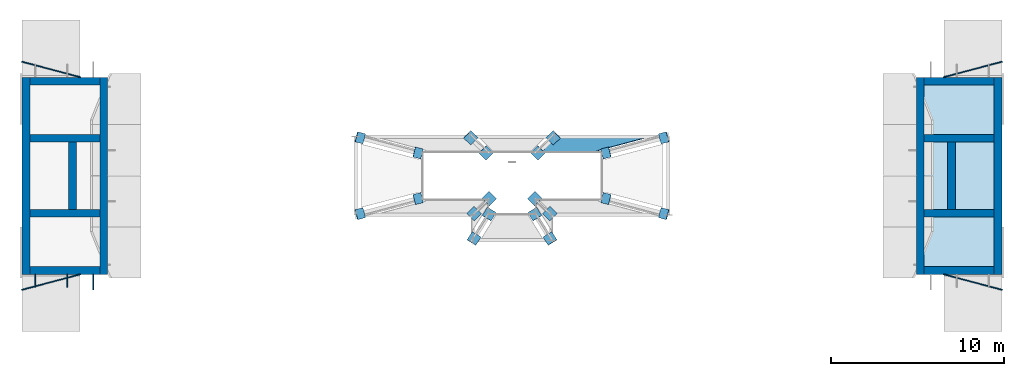
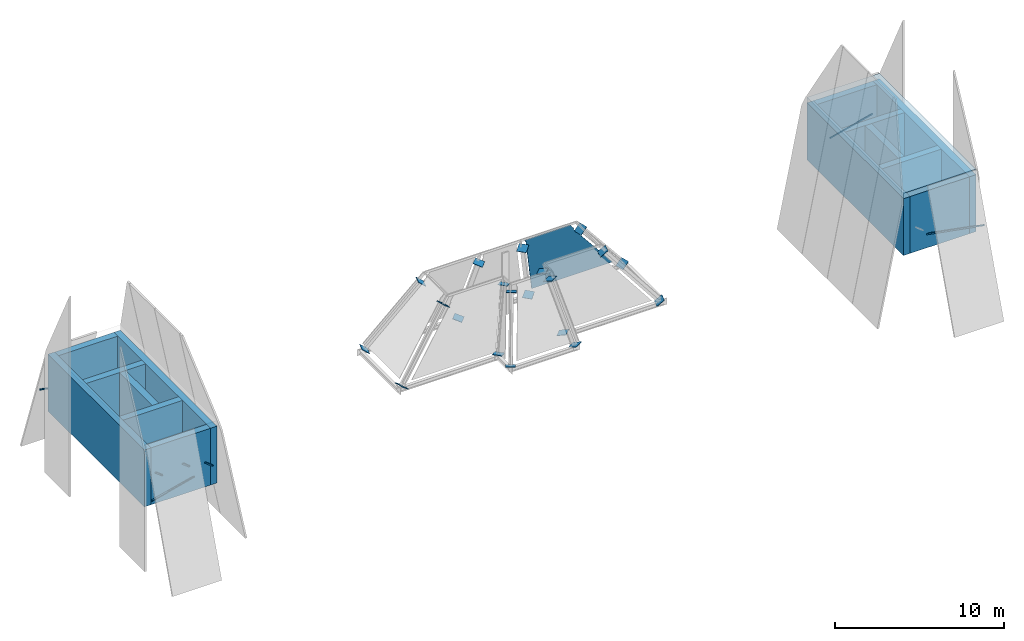
# One storey, part 2 of 5: 27 discrete accessories, 14 walls, 1 plate, 1 slab, 1 element without a shape of its own.
"""IFC4 building model written with IfcOpenShell, lengths in metres."""

import ifcopenshell
import ifcopenshell.guid

model = None  # the IFC model being written
_history = None  # IfcOwnerHistory: only IFC2X3 demands one
_inside = {}  # id of a spatial element -> (the spatial element, [elements in it])
_under = {}  # id of a project, library or spatial element -> (it, [spatial elements below it])
_declared = {}  # id of a project -> (the project, [libraries it declares])
_typed = {}  # id of a type object -> (the type object, [elements of that type])
_made_of = {}  # id of a material, layer set ... -> (it, [elements and type objects made of it])


def new_model(schema):
    """Start an empty IFC model of exactly this schema.

    Asked for "IFC4X3", IfcOpenShell would pick the latest addendum, in which some entities
    have other attributes; the version numbers below select the first issue.
    IFC2X3 requires an IfcOwnerHistory on every rooted entity: one is made here for all.
    """
    global model, _history
    if schema == "IFC4X3":
        model = ifcopenshell.file(schema_version=(4, 3, 0, 0))
    else:
        model = ifcopenshell.file(schema=schema)
    _inside.clear()
    _under.clear()
    _declared.clear()
    _typed.clear()
    _made_of.clear()
    _history = None
    if model.schema == "IFC2X3":
        org = make("IfcOrganization", Name="unknown")
        user = make(
            "IfcPersonAndOrganization",
            ThePerson=make("IfcPerson", FamilyName="unknown"),
            TheOrganization=org,
        )
        app = make(
            "IfcApplication",
            ApplicationDeveloper=org,
            Version="unknown",
            ApplicationFullName="unknown",
            ApplicationIdentifier="unknown",
        )
        _history = make(
            "IfcOwnerHistory",
            OwningUser=user,
            OwningApplication=app,
            ChangeAction="ADDED",
            CreationDate=0,
        )
    return model


def make(cls, **values):
    """One entity of the class cls with the attributes given. An attribute that is None is left unset."""
    return model.create_entity(
        cls, **{name: value for name, value in values.items() if value is not None}
    )


def rooted(cls, **values):
    """An entity with a GlobalId (a new one), such as an element, a storey or a relation."""
    return make(cls, GlobalId=ifcopenshell.guid.new(), OwnerHistory=_history, **values)


def si_unit(unit_type, name, prefix=None):
    """IfcSIUnit, for example si_unit("LENGTHUNIT", "METRE", prefix="MILLI")."""
    return make("IfcSIUnit", UnitType=unit_type, Prefix=prefix, Name=name)


def assignment(units):
    """IfcUnitAssignment: the units of a project."""
    return None if units is None else make("IfcUnitAssignment", Units=units)


def point(xyz):
    """IfcCartesianPoint."""
    return None if xyz is None else make("IfcCartesianPoint", Coordinates=xyz)


def direction(xyz):
    """IfcDirection."""
    return None if xyz is None else make("IfcDirection", DirectionRatios=xyz)


def frame(location, z_axis=None, x_axis=None):
    """IfcAxis2Placement3D, a coordinate frame: its origin and axes. An axis left out is left unset."""
    return make(
        "IfcAxis2Placement3D",
        Location=point(location),
        Axis=direction(z_axis),
        RefDirection=direction(x_axis),
    )


def frame_2d(location, x_axis=None):
    """IfcAxis2Placement2D, a coordinate frame in the plane: its origin and x axis."""
    return make(
        "IfcAxis2Placement2D", Location=point(location), RefDirection=direction(x_axis)
    )


def origin():
    """The frame at (0, 0, 0) with its axes left unset."""
    return frame((0.0, 0.0, 0.0))


def origin_2d():
    """The frame at (0, 0) in the plane with its x axis left unset."""
    return frame_2d((0.0, 0.0))


def place(relative_to, where):
    """IfcLocalPlacement: puts the frame where relative to a parent placement (None: the world)."""
    return make(
        "IfcLocalPlacement", PlacementRelTo=relative_to, RelativePlacement=where
    )


def context(
    kind, dimensions, precision=None, world=None, true_north=None, identifier=None
):
    """IfcGeometricRepresentationContext, for example the 3D "Model" context."""
    return make(
        "IfcGeometricRepresentationContext",
        ContextIdentifier=identifier,
        ContextType=kind,
        CoordinateSpaceDimension=dimensions,
        Precision=precision,
        WorldCoordinateSystem=world,
        TrueNorth=true_north,
    )


def subcontext(parent, identifier, kind, view, scale=None):
    """IfcGeometricRepresentationSubContext, for example "Body" below "Model"."""
    return make(
        "IfcGeometricRepresentationSubContext",
        ContextIdentifier=identifier,
        ContextType=kind,
        ParentContext=parent,
        TargetScale=scale,
        TargetView=view,
    )


def project(units=None, contexts=None):
    """IfcProject with its units and contexts."""
    return rooted(
        "IfcProject",
        Name="project",
        RepresentationContexts=contexts,
        UnitsInContext=assignment(units),
    )


def spatial(cls, under=None, at=None, **own):
    """A site, building, storey or space (cls), placed at a placement, below another one or the project."""
    s = rooted(cls, ObjectPlacement=at, **own)
    if under is not None:
        _under.setdefault(under.id(), (under, []))[1].append(s)
    return s


def polyline(points):
    """IfcPolyline through the points."""
    return make("IfcPolyline", Points=[point(p) for p in points])


def profile(cls, at=None, kind="AREA", **sizes):
    """A parametric profile (cls). Its sizes go by their IFC names, for example OverallWidth=200.0."""
    return make(cls, ProfileType=kind, Position=at, **sizes)


def rectangle(**sizes):
    """IfcRectangleProfileDef."""
    return profile("IfcRectangleProfileDef", **sizes)


def outline(outer, holes=None, kind="AREA"):
    """IfcArbitraryClosedProfileDef: a profile drawn as a closed curve; with holes, ...WithVoids."""
    if holes is None:
        return make("IfcArbitraryClosedProfileDef", ProfileType=kind, OuterCurve=outer)
    return make(
        "IfcArbitraryProfileDefWithVoids",
        ProfileType=kind,
        OuterCurve=outer,
        InnerCurves=holes,
    )


def extrude(swept, where, along, depth):
    """IfcExtrudedAreaSolid: the profile swept, set in the frame where, extruded along a direction by depth."""
    return make(
        "IfcExtrudedAreaSolid",
        SweptArea=swept,
        Position=where,
        ExtrudedDirection=direction(along),
        Depth=depth,
    )


def shape(context_of_items, identifier, shape_type, items):
    """IfcShapeRepresentation: the items that make up one representation, for example the "Body"."""
    return make(
        "IfcShapeRepresentation",
        ContextOfItems=context_of_items,
        RepresentationIdentifier=identifier,
        RepresentationType=shape_type,
        Items=items,
    )


def material(Name=None, Category=None):
    """IfcMaterial."""
    return make("IfcMaterial", Name=Name, Category=Category)


def layer(
    of_material, thickness, ventilated=None, Name=None, Category=None, Priority=None
):
    """IfcMaterialLayer: one layer of a wall or slab, of a material (None: an air gap)."""
    return make(
        "IfcMaterialLayer",
        Material=of_material,
        LayerThickness=thickness,
        IsVentilated=ventilated,
        Name=Name,
        Category=Category,
        Priority=Priority,
    )


def layer_set(layers, Name=None):
    """IfcMaterialLayerSet."""
    return make("IfcMaterialLayerSet", MaterialLayers=layers, LayerSetName=Name)


def material_profile(
    of_material, cross_section, Name=None, Category=None, Priority=None
):
    """IfcMaterialProfile: a cross section and its material."""
    return make(
        "IfcMaterialProfile",
        Name=Name,
        Material=of_material,
        Profile=cross_section,
        Priority=Priority,
        Category=Category,
    )


def profile_set(profiles, Name=None, composite=None):
    """IfcMaterialProfileSet."""
    return make(
        "IfcMaterialProfileSet",
        Name=Name,
        MaterialProfiles=profiles,
        CompositeProfile=composite,
    )


def made_of(thing, what):
    """Note that an element or type object is made of a material, layer set ...; save() writes the relation."""
    if what is not None:
        _made_of.setdefault(what.id(), (what, []))[1].append(thing)
    return thing


def type_object(cls, material=None, **own):
    """A type object (cls), such as IfcWallType, which elements share."""
    return made_of(rooted(cls, **own), material)


def element(
    cls,
    number,
    at=None,
    inside=None,
    cuts=None,
    type_object=None,
    material=None,
    context=None,
    identifier="Body",
    shape_type=None,
    held_by="IfcProductDefinitionShape",
    body=None,
    shapes=None,
    **own,
):
    """One element of the class cls, such as IfcWall. Its Tag is "e" and its number.

    at: its placement. inside: the storey or other place that contains it. cuts: it is an
    opening in that element (IfcRelVoidsElement). A single representation is given by context,
    identifier, shape_type and body (its items); several are given by shapes. held_by: the class
    of the entity that holds the representations. save() writes the other relations.
    """
    e = rooted(cls, Tag="e%d" % number, ObjectPlacement=at, **own)
    if body is not None:
        shapes = [shape(context, identifier, shape_type, body)]
    if shapes is not None:
        e.Representation = make(held_by, Representations=shapes)
    if inside is not None:
        _inside.setdefault(inside.id(), (inside, []))[1].append(e)
    if cuts is not None:
        rooted(
            "IfcRelVoidsElement", RelatingBuildingElement=cuts, RelatedOpeningElement=e
        )
    if type_object is not None:
        _typed.setdefault(type_object.id(), (type_object, []))[1].append(e)
    return made_of(e, material)


def aggregate(whole, parts):
    """IfcRelAggregates: a whole, such as a stair, and the parts it consists of."""
    return rooted("IfcRelAggregates", RelatingObject=whole, RelatedObjects=parts)


def save(model, path):
    """Write the relations noted so far, then the file.

    IfcRelAggregates (storeys below a building ...), IfcRelContainedInSpatialStructure (elements
    in a storey), IfcRelDefinesByType, IfcRelAssociatesMaterial and IfcRelDeclares: one each for
    every whole, place, type object, material and project.
    """
    for whole, parts in _under.values():
        aggregate(whole, parts)
    for where, things in _inside.values():
        rooted(
            "IfcRelContainedInSpatialStructure",
            RelatedElements=things,
            RelatingStructure=where,
        )
    for kind, things in _typed.values():
        rooted("IfcRelDefinesByType", RelatedObjects=things, RelatingType=kind)
    for what, things in _made_of.values():
        rooted("IfcRelAssociatesMaterial", RelatedObjects=things, RelatingMaterial=what)
    for by, libraries in _declared.values():
        rooted("IfcRelDeclares", RelatingContext=by, RelatedDefinitions=libraries)
    model.write(path)


model = new_model("IFC4")

# Units and contexts
model_context = context("Model", 3, precision=1e-05, world=origin(), true_north=direction((0.0, 1.0)))
body_context = subcontext(model_context, "Body", "Model", "MODEL_VIEW")
ifc_project = project(units=[si_unit("LENGTHUNIT", "METRE"), si_unit("AREAUNIT", "SQUARE_METRE"), si_unit("VOLUMEUNIT", "CUBIC_METRE"), si_unit("PLANEANGLEUNIT", "RADIAN"), si_unit("MASSUNIT", "GRAM", prefix="KILO")], contexts=[model_context])

# Site, building, storey
site_placement = place(None, origin())
site = spatial("IfcSite", under=ifc_project, at=site_placement, CompositionType="ELEMENT")
building_placement = place(site_placement, origin())
building = spatial("IfcBuilding", under=site, at=building_placement, Name="Perihelion Cross Residences", CompositionType="ELEMENT")
storey_placement = place(building_placement, frame((0.0, 0.0, 316.800048828125)))
storey = spatial("IfcBuildingStorey", under=building, at=storey_placement, Name="L80", CompositionType="ELEMENT", Elevation=316.800048828125)

# Curtain wall, plate
ifc_material_1 = material(Name="Bronze anodised aluminium, tinted glazing", Category="aluminium")
curtain_wall_type = type_object("IfcCurtainWallType", Name="CW6", PredefinedType="NOTDEFINED", material=ifc_material_1)
curtain_wall_placement = place(storey_placement, origin())
curtain_wall = element("IfcCurtainWall", 1, at=curtain_wall_placement, inside=storey, type_object=curtain_wall_type, Name="Curtain wall CW6 L80 crown 2", PredefinedType="NOTDEFINED")
ifc_material_2 = material(Name="Tinted laminated glass", Category="glass")
ifc_layer_1 = layer(ifc_material_2, 0.033935546875)
ifc_layer_set_1 = layer_set([ifc_layer_1], Name="CW6 panel")
plate_type = type_object("IfcPlateType", Name="CW6 panel", PredefinedType="CURTAIN_PANEL", material=ifc_layer_set_1)
plate_placement = place(storey_placement, frame((1.6513671875, 1.38427734375, 4.4658203125), z_axis=(1.0140466e-05, 0.978258858143, 0.207387575236), x_axis=(0.201168175971, 0.2031458971, -0.95826046014)))
plate = element("IfcPlate", 2, at=plate_placement, type_object=plate_type, Name="Curtain wall panel CW6-P L80 crown 2", PredefinedType="CURTAIN_PANEL", context=body_context, shape_type="SweptSolid", body=[
    extrude(outline(polyline([(0.0, 0.0), (0.13349760133015823, 0.0), (0.13321229852870614, -0.06311525482268864), (4.640988534558573, -0.0794802485562911), (5.751784588253388, -5.488326514094542), (1.101812759534456, -3.1855137065805312), (1.0733783955499678, -3.2429449877321384), (0.6205468514141572, -3.0216550632301282), (0.0, 0.0)])), origin(), (0.0, 0.0, -1.0), 0.033935546875),
])
aggregate(curtain_wall, [plate])

# Slab
ifc_material_3 = material(Name="Concrete C50/60", Category="concrete")
ifc_layer_2 = layer(ifc_material_3, 0.39990234375)
ifc_layer_set_2 = layer_set([ifc_layer_2], Name="Stack roof slab 400")
slab_type = type_object("IfcSlabType", Name="Stack roof slab 400", PredefinedType="ROOF", material=ifc_layer_set_2)
slab_placement = place(storey_placement, frame((0.0, 0.0, 4.099853515625)))
element("IfcSlab", 3, at=slab_placement, inside=storey, type_object=slab_type, Name="East core stack roof, step 2", PredefinedType="ROOF", context=body_context, shape_type="SweptSolid", body=[
    extrude(outline(polyline([(23.39990234375, -5.699951171875), (28.35009765625, -5.699951171875), (28.35009765625, 5.699951171875), (23.39990234375, 5.699951171875), (23.39990234375, -5.699951171875)])), origin(), (0.0, 0.0, 1.0), 0.400146484375),
])

# Walls
ifc_material_4 = material(Name="Concrete C60/75", Category="concrete")
ifc_layer_3 = layer(ifc_material_4, 0.449951171875)
ifc_layer_set_3 = layer_set([ifc_layer_3], Name="Core wall, outer 450")
wall_type = type_object("IfcWallType", Name="Core wall, outer 450", PredefinedType="SHEAR", material=ifc_layer_set_3)
for number, where, z_axis, x_axis, name in (
    (4, (23.625, -5.699951171875, 0.0), (0.0, 0.0, 1.0), (0.0, 1.0, 0.0), "East core stack wall, step 2"),
    (5, (28.125, -5.699951171875, 0.0), (0.0, 0.0, 1.0), (0.0, 1.0, 0.0), "East core stack wall, step 2"),
):
    element("IfcWall", number, at=place(storey_placement, frame(where, z_axis=z_axis, x_axis=x_axis)), inside=storey, type_object=wall_type, Name=name, PredefinedType="SHEAR", context=body_context, shape_type="SweptSolid", body=[
        extrude(rectangle(XDim=11.39990234375, YDim=0.449951171875, at=frame_2d((5.699951171875, 0.0))), origin(), (0.0, 0.0, 1.0), 4.099853515625),
    ])
for number, where, z_axis, x_axis, name in (
    (6, (23.85009765625, 5.47509765625, 0.0), (0.0, 0.0, 1.0), (1.0, 0.0, 0.0), "East core stack wall, step 2"),
    (7, (23.85009765625, -5.47509765625, 0.0), (0.0, 0.0, 1.0), (1.0, 0.0, 0.0), "East core stack wall, step 2"),
    (8, (23.85009765625, 2.175048828125, 0.0), (0.0, 0.0, 1.0), (1.0, 0.0, 0.0), "East core stack partition, step 2"),
    (9, (23.85009765625, -2.175048828125, 0.0), (0.0, 0.0, 1.0), (1.0, 0.0, 0.0), "East core stack partition, step 2"),
):
    element("IfcWall", number, at=place(storey_placement, frame(where, z_axis=z_axis, x_axis=x_axis)), inside=storey, type_object=wall_type, Name=name, PredefinedType="SHEAR", context=body_context, shape_type="SweptSolid", body=[
        extrude(rectangle(XDim=4.0498046875, YDim=0.449951171875, at=frame_2d((2.02490234375, 0.0))), origin(), (0.0, 0.0, 1.0), 4.099853515625),
    ])
wall_1_placement = place(storey_placement, frame((25.425048828125, -1.949951171875, 0.0), z_axis=(0.0, 0.0, 1.0), x_axis=(0.0, 1.0, 0.0)))
element("IfcWall", 10, at=wall_1_placement, inside=storey, type_object=wall_type, Name="East core stack partition, step 2", PredefinedType="SHEAR", context=body_context, shape_type="SweptSolid", body=[
    extrude(rectangle(XDim=3.89990234375, YDim=0.449951171875, at=frame_2d((1.949951171875, 0.0))), origin(), (0.0, 0.0, 1.0), 4.099853515625),
])
for number, where, z_axis, x_axis, name in (
    (11, (-23.625, -5.699951171875, 0.0), (0.0, 0.0, 1.0), (0.0, 1.0, 0.0), "West core stack wall, step 2"),
    (12, (-28.125, -5.699951171875, 0.0), (0.0, 0.0, 1.0), (0.0, 1.0, 0.0), "West core stack wall, step 2"),
):
    element("IfcWall", number, at=place(storey_placement, frame(where, z_axis=z_axis, x_axis=x_axis)), inside=storey, type_object=wall_type, Name=name, PredefinedType="SHEAR", context=body_context, shape_type="SweptSolid", body=[
        extrude(rectangle(XDim=11.39990234375, YDim=0.449951171875, at=frame_2d((5.699951171875, 0.0))), origin(), (0.0, 0.0, 1.0), 4.099853515625),
    ])
for number, where, z_axis, x_axis, name in (
    (13, (-23.85009765625, 5.47509765625, 0.0), (0.0, 0.0, 1.0), (-1.0, 0.0, 0.0), "West core stack wall, step 2"),
    (14, (-23.85009765625, -5.47509765625, 0.0), (0.0, 0.0, 1.0), (-1.0, 0.0, 0.0), "West core stack wall, step 2"),
    (15, (-23.85009765625, 2.175048828125, 0.0), (0.0, 0.0, 1.0), (-1.0, 0.0, 0.0), "West core stack partition, step 2"),
    (16, (-23.85009765625, -2.175048828125, 0.0), (0.0, 0.0, 1.0), (-1.0, 0.0, 0.0), "West core stack partition, step 2"),
):
    element("IfcWall", number, at=place(storey_placement, frame(where, z_axis=z_axis, x_axis=x_axis)), inside=storey, type_object=wall_type, Name=name, PredefinedType="SHEAR", context=body_context, shape_type="SweptSolid", body=[
        extrude(rectangle(XDim=4.0498046875, YDim=0.449951171875, at=frame_2d((2.02490234375, 0.0))), origin(), (0.0, 0.0, 1.0), 4.099853515625),
    ])
wall_2_placement = place(storey_placement, frame((-25.425048828125, -1.949951171875, 0.0), z_axis=(0.0, 0.0, 1.0), x_axis=(0.0, 1.0, 0.0)))
element("IfcWall", 17, at=wall_2_placement, inside=storey, type_object=wall_type, Name="West core stack partition, step 2", PredefinedType="SHEAR", context=body_context, shape_type="SweptSolid", body=[
    extrude(rectangle(XDim=3.89990234375, YDim=0.449951171875, at=frame_2d((1.949951171875, 0.0))), origin(), (0.0, 0.0, 1.0), 4.099853515625),
])

# Discrete accessories
ifc_material_5 = material(Name="Structural steel S355 plate", Category="steel")
ifc_material_profile_1 = material_profile(ifc_material_5, rectangle(XDim=0.60009765625, YDim=0.60009765625, at=origin_2d()), Name="Crown gusset plate")
ifc_profile_set_1 = profile_set([ifc_material_profile_1], Name="Structural steel S355 plate")
discrete_accessory_type_1 = type_object("IfcDiscreteAccessoryType", Name="Crown gusset plate", PredefinedType="BRACKET", material=ifc_profile_set_1)
for number, where, z_axis, x_axis, name in (
    (18, (8.79248046875, -2.197265625, -0.26171875), (-0.611354359454, 0.163027829188, 0.774382188642), (-0.25766265056, -0.966234939601, 0.0), "Crown gusset plate"),
    (19, (5.4482421875, -1.32373046875, 3.936279296875), (-0.617213399848, 0.154303349962, 0.77151674981), (-0.242535625036, -0.970142500145, 0.0), "Crown gusset plate"),
    (20, (8.79248046875, 2.197265625, -0.26171875), (-0.611354359454, -0.163027829188, 0.774382188642), (0.25766265056, -0.966234939601, 0.0), "Crown gusset plate"),
    (21, (5.4482421875, 1.32373046875, 3.936279296875), (-0.617213399848, -0.154303349962, 0.77151674981), (0.242535625036, -0.970142500145, 0.0), "Crown gusset plate"),
    (22, (2.39404296875, 2.19775390625, -0.264404296875), (-0.203278907045, -0.195147750764, 0.959476441254), (0.69253182819, -0.721387321031, 0.0), "Crown gusset plate"),
    (23, (1.497314453125, 1.324462890625, 3.93359375), (-0.202950426726, -0.202950426726, 0.957926014149), (0.707106781187, -0.707106781187, 0.0), "Crown gusset plate"),
    (24, (-2.39404296875, 2.19775390625, -0.264404296875), (0.203278907045, -0.195147750764, 0.959476441254), (0.69253182819, 0.721387321031, 0.0), "Crown gusset plate"),
    (25, (-1.497314453125, 1.324462890625, 3.93359375), (0.202950426726, -0.202950426726, 0.957926014149), (0.707106781187, 0.707106781187, 0.0), "Crown gusset plate"),
    (26, (-8.79248046875, 2.197265625, -0.26171875), (0.611354359454, -0.163027829188, 0.774382188642), (0.25766265056, 0.966234939601, 0.0), "Crown gusset plate"),
    (27, (-5.4482421875, 1.32373046875, 3.936279296875), (0.617213399848, -0.154303349962, 0.77151674981), (0.242535625036, 0.970142500145, 0.0), "Crown gusset plate"),
    (28, (-8.79248046875, -2.197265625, -0.26171875), (0.611354359454, 0.163027829188, 0.774382188642), (-0.25766265056, 0.966234939601, 0.0), "Crown gusset plate"),
    (29, (-5.4482421875, -1.32373046875, 3.936279296875), (0.617213399848, 0.154303349962, 0.77151674981), (-0.242535625036, 0.970142500145, 0.0), "Crown gusset plate"),
    (30, (-2.19775390625, -2.19775390625, -0.264404296875), (0.195464628005, 0.195464628005, 0.961034421026), (-0.707106781187, 0.707106781187, 0.0), "Crown gusset plate"),
    (31, (-1.324462890625, -1.324462890625, 3.93359375), (0.202950426726, 0.202950426726, 0.957926014149), (-0.707106781187, 0.707106781187, 0.0), "Crown gusset plate"),
    (32, (-2.19775390625, -3.634033203125, -0.263916015625), (0.195854751395, 0.310103356376, 0.930310069128), (-0.845488903031, 0.533992991388, 0.0), "Crown gusset plate"),
):
    element("IfcDiscreteAccessory", number, at=place(storey_placement, frame(where, z_axis=z_axis, x_axis=x_axis)), inside=storey, type_object=discrete_accessory_type_1, Name=name, PredefinedType="BRACKET", context=body_context, shape_type="SweptSolid", body=[
        extrude(rectangle(XDim=0.60009765625, YDim=0.60009765625, at=origin_2d()), origin(), (0.0, 0.0, 1.0), 0.030029296875),
    ])
discrete_accessory_1_placement = place(storey_placement, frame((-1.32421875, -2.22265625, 3.93408203125), z_axis=(0.187988568937, 0.310589809548, 0.931769428643), x_axis=(-0.855500079018, 0.517802679406, 0.0)))
element("IfcDiscreteAccessory", 33, at=discrete_accessory_1_placement, inside=storey, type_object=discrete_accessory_type_1, Name="Crown gusset plate", PredefinedType="BRACKET", context=body_context, shape_type="SweptSolid", body=[
    extrude(rectangle(XDim=0.60009765625, YDim=0.60009765625, at=origin_2d()), origin(), (0.0, 0.0, 1.0), 0.02978515625),
])
discrete_accessory_2_placement = place(storey_placement, frame((2.19775390625, -3.634033203125, -0.263916015625), z_axis=(-0.195854751395, 0.310103356376, 0.930310069128), x_axis=(-0.845488903031, -0.533992991388, 0.0)))
element("IfcDiscreteAccessory", 34, at=discrete_accessory_2_placement, inside=storey, type_object=discrete_accessory_type_1, Name="Crown gusset plate", PredefinedType="BRACKET", context=body_context, shape_type="SweptSolid", body=[
    extrude(rectangle(XDim=0.60009765625, YDim=0.60009765625, at=origin_2d()), origin(), (0.0, 0.0, 1.0), 0.030029296875),
])
discrete_accessory_3_placement = place(storey_placement, frame((1.32421875, -2.22265625, 3.93408203125), z_axis=(-0.187988568937, 0.310589809548, 0.931769428643), x_axis=(-0.855500079018, -0.517802679406, 0.0)))
element("IfcDiscreteAccessory", 35, at=discrete_accessory_3_placement, inside=storey, type_object=discrete_accessory_type_1, Name="Crown gusset plate", PredefinedType="BRACKET", context=body_context, shape_type="SweptSolid", body=[
    extrude(rectangle(XDim=0.60009765625, YDim=0.60009765625, at=origin_2d()), origin(), (0.0, 0.0, 1.0), 0.02978515625),
])
for number, where, z_axis, x_axis, name in (
    (36, (2.19775390625, -2.19775390625, -0.264404296875), (-0.195464628005, 0.195464628005, 0.961034421026), (-0.707106781187, -0.707106781187, 0.0), "Crown gusset plate"),
    (37, (1.324462890625, -1.324462890625, 3.93359375), (-0.202950426726, 0.202950426726, 0.957926014149), (-0.707106781187, -0.707106781187, 0.0), "Crown gusset plate"),
):
    element("IfcDiscreteAccessory", number, at=place(storey_placement, frame(where, z_axis=z_axis, x_axis=x_axis)), inside=storey, type_object=discrete_accessory_type_1, Name=name, PredefinedType="BRACKET", context=body_context, shape_type="SweptSolid", body=[
        extrude(rectangle(XDim=0.60009765625, YDim=0.60009765625, at=origin_2d()), origin(), (0.0, 0.0, 1.0), 0.030029296875),
    ])
ifc_material_6 = material(Name="Stainless steel", Category="steel")
ifc_material_profile_2 = material_profile(ifc_material_6, rectangle(XDim=0.06005859375, YDim=0.06005859375, at=origin_2d()), Name="Pylon facet bracket")
ifc_profile_set_2 = profile_set([ifc_material_profile_2], Name="Stainless steel")
discrete_accessory_type_2 = type_object("IfcDiscreteAccessoryType", Name="Pylon facet bracket", PredefinedType="BRACKET", material=ifc_profile_set_2)
for number, where, z_axis, x_axis, name in (
    (38, (28.3798828125, -6.6064453125, 1.01220703125), (-0.966478960902, 0.256745823984, 0.0), (-0.256745823984, -0.966478960902, 0.0), "Pylon facet bracket, east stack"),
    (39, (28.3798828125, 6.6064453125, 1.01220703125), (-0.966478960902, -0.256745823984, 0.0), (0.256745823984, -0.966478960902, 0.0), "Pylon facet bracket, east stack"),
):
    element("IfcDiscreteAccessory", number, at=place(storey_placement, frame(where, z_axis=z_axis, x_axis=x_axis)), inside=storey, type_object=discrete_accessory_type_2, Name=name, PredefinedType="BRACKET", context=body_context, shape_type="SweptSolid", body=[
        extrude(rectangle(XDim=0.06005859375, YDim=0.06005859375, at=origin_2d()), origin(), (0.0, 0.0, 1.0), 3.53076171875),
    ])
discrete_accessory_4_placement = place(storey_placement, frame((-24.22021484375, -6.590576171875, 2.08447265625), z_axis=(0.0, 0.94222012533, -0.334994381182), x_axis=(-1.0, 0.0, 0.0)))
element("IfcDiscreteAccessory", 40, at=discrete_accessory_4_placement, inside=storey, type_object=discrete_accessory_type_2, Name="Pylon facet bracket, west stack", PredefinedType="BRACKET", context=body_context, shape_type="SweptSolid", body=[
    extrude(rectangle(XDim=0.06005859375, YDim=0.06005859375, at=origin_2d()), origin(), (0.0, 0.0, 1.0), 0.9453125),
])
for number, where, z_axis, x_axis, name in (
    (41, (-25.739990234375, -6.4482421875, 2.485107421875), (0.0, 0.942193125577, -0.335070312196), (-1.0, 0.0, 0.0), "Pylon facet bracket, west stack"),
    (42, (-27.585205078125, -6.4482421875, 2.485107421875), (0.0, 0.942193125577, -0.335070312196), (-1.0, 0.0, 0.0), "Pylon facet bracket, west stack"),
):
    element("IfcDiscreteAccessory", number, at=place(storey_placement, frame(where, z_axis=z_axis, x_axis=x_axis)), inside=storey, type_object=discrete_accessory_type_2, Name=name, PredefinedType="BRACKET", context=body_context, shape_type="SweptSolid", body=[
        extrude(rectangle(XDim=0.06005859375, YDim=0.06005859375, at=origin_2d()), origin(), (0.0, 0.0, 1.0), 0.794189453125),
    ])
for number, where, z_axis, x_axis, name in (
    (43, (-28.3798828125, -6.6064453125, 1.01220703125), (0.966478960902, 0.256745823984, 0.0), (-0.256745823984, 0.966478960902, 0.0), "Pylon facet bracket, west stack"),
    (44, (-28.3798828125, 6.6064453125, 1.01220703125), (0.966478960902, -0.256745823984, 0.0), (0.256745823984, 0.966478960902, 0.0), "Pylon facet bracket, west stack"),
):
    element("IfcDiscreteAccessory", number, at=place(storey_placement, frame(where, z_axis=z_axis, x_axis=x_axis)), inside=storey, type_object=discrete_accessory_type_2, Name=name, PredefinedType="BRACKET", context=body_context, shape_type="SweptSolid", body=[
        extrude(rectangle(XDim=0.06005859375, YDim=0.06005859375, at=origin_2d()), origin(), (0.0, 0.0, 1.0), 3.53076171875),
    ])

save(model, "model.ifc")
